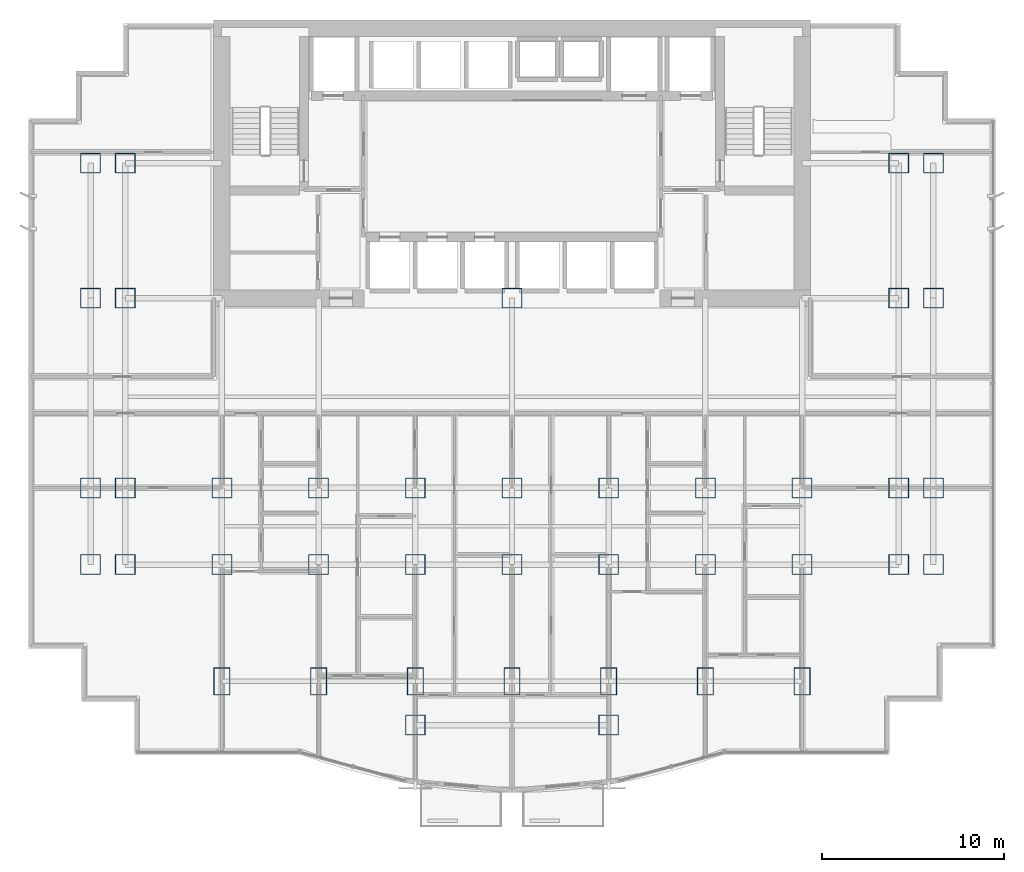
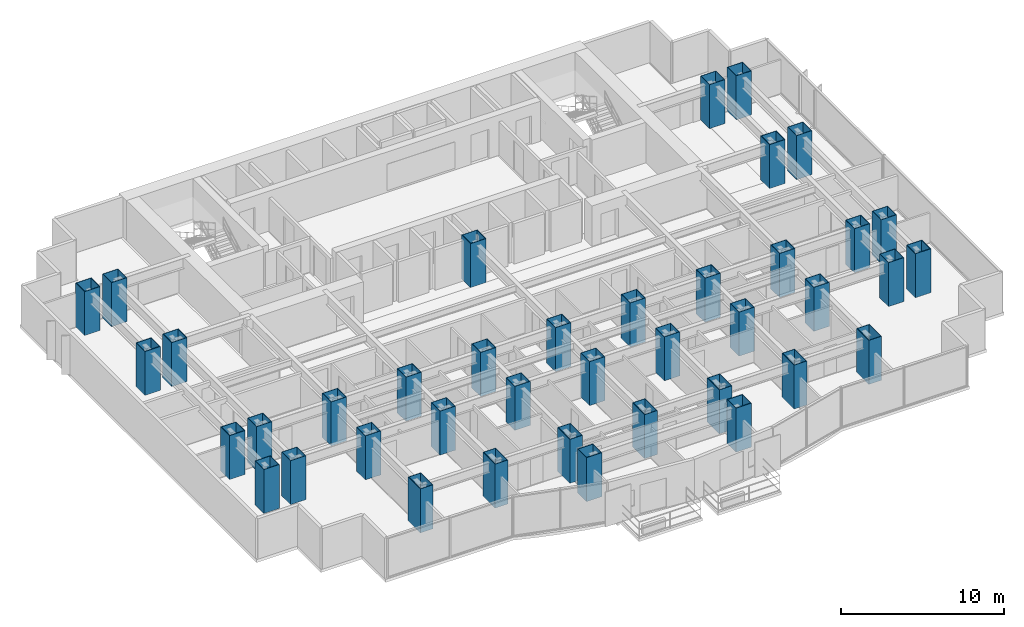
# One storey, part 1 of 12: 40 columns.
"""IFC4 building model written with IfcOpenShell, lengths in metres."""

import ifcopenshell
import ifcopenshell.guid

model = None  # the IFC model being written
_history = None  # IfcOwnerHistory: only IFC2X3 demands one
_inside = {}  # id of a spatial element -> (the spatial element, [elements in it])
_under = {}  # id of a project, library or spatial element -> (it, [spatial elements below it])
_declared = {}  # id of a project -> (the project, [libraries it declares])
_typed = {}  # id of a type object -> (the type object, [elements of that type])
_made_of = {}  # id of a material, layer set ... -> (it, [elements and type objects made of it])


def new_model(schema):
    """Start an empty IFC model of exactly this schema.

    Asked for "IFC4X3", IfcOpenShell would pick the latest addendum, in which some entities
    have other attributes; the version numbers below select the first issue.
    IFC2X3 requires an IfcOwnerHistory on every rooted entity: one is made here for all.
    """
    global model, _history
    if schema == "IFC4X3":
        model = ifcopenshell.file(schema_version=(4, 3, 0, 0))
    else:
        model = ifcopenshell.file(schema=schema)
    _inside.clear()
    _under.clear()
    _declared.clear()
    _typed.clear()
    _made_of.clear()
    _history = None
    if model.schema == "IFC2X3":
        org = make("IfcOrganization", Name="unknown")
        user = make(
            "IfcPersonAndOrganization",
            ThePerson=make("IfcPerson", FamilyName="unknown"),
            TheOrganization=org,
        )
        app = make(
            "IfcApplication",
            ApplicationDeveloper=org,
            Version="unknown",
            ApplicationFullName="unknown",
            ApplicationIdentifier="unknown",
        )
        _history = make(
            "IfcOwnerHistory",
            OwningUser=user,
            OwningApplication=app,
            ChangeAction="ADDED",
            CreationDate=0,
        )
    return model


def make(cls, **values):
    """One entity of the class cls with the attributes given. An attribute that is None is left unset."""
    return model.create_entity(
        cls, **{name: value for name, value in values.items() if value is not None}
    )


def rooted(cls, **values):
    """An entity with a GlobalId (a new one), such as an element, a storey or a relation."""
    return make(cls, GlobalId=ifcopenshell.guid.new(), OwnerHistory=_history, **values)


def si_unit(unit_type, name, prefix=None):
    """IfcSIUnit, for example si_unit("LENGTHUNIT", "METRE", prefix="MILLI")."""
    return make("IfcSIUnit", UnitType=unit_type, Prefix=prefix, Name=name)


def assignment(units):
    """IfcUnitAssignment: the units of a project."""
    return None if units is None else make("IfcUnitAssignment", Units=units)


def point(xyz):
    """IfcCartesianPoint."""
    return None if xyz is None else make("IfcCartesianPoint", Coordinates=xyz)


def direction(xyz):
    """IfcDirection."""
    return None if xyz is None else make("IfcDirection", DirectionRatios=xyz)


def frame(location, z_axis=None, x_axis=None):
    """IfcAxis2Placement3D, a coordinate frame: its origin and axes. An axis left out is left unset."""
    return make(
        "IfcAxis2Placement3D",
        Location=point(location),
        Axis=direction(z_axis),
        RefDirection=direction(x_axis),
    )


def frame_2d(location, x_axis=None):
    """IfcAxis2Placement2D, a coordinate frame in the plane: its origin and x axis."""
    return make(
        "IfcAxis2Placement2D", Location=point(location), RefDirection=direction(x_axis)
    )


def origin():
    """The frame at (0, 0, 0) with its axes left unset."""
    return frame((0.0, 0.0, 0.0))


def origin_2d():
    """The frame at (0, 0) in the plane with its x axis left unset."""
    return frame_2d((0.0, 0.0))


def place(relative_to, where):
    """IfcLocalPlacement: puts the frame where relative to a parent placement (None: the world)."""
    return make(
        "IfcLocalPlacement", PlacementRelTo=relative_to, RelativePlacement=where
    )


def context(
    kind, dimensions, precision=None, world=None, true_north=None, identifier=None
):
    """IfcGeometricRepresentationContext, for example the 3D "Model" context."""
    return make(
        "IfcGeometricRepresentationContext",
        ContextIdentifier=identifier,
        ContextType=kind,
        CoordinateSpaceDimension=dimensions,
        Precision=precision,
        WorldCoordinateSystem=world,
        TrueNorth=true_north,
    )


def subcontext(parent, identifier, kind, view, scale=None):
    """IfcGeometricRepresentationSubContext, for example "Body" below "Model"."""
    return make(
        "IfcGeometricRepresentationSubContext",
        ContextIdentifier=identifier,
        ContextType=kind,
        ParentContext=parent,
        TargetScale=scale,
        TargetView=view,
    )


def project(units=None, contexts=None):
    """IfcProject with its units and contexts."""
    return rooted(
        "IfcProject",
        Name="project",
        RepresentationContexts=contexts,
        UnitsInContext=assignment(units),
    )


def spatial(cls, under=None, at=None, **own):
    """A site, building, storey or space (cls), placed at a placement, below another one or the project."""
    s = rooted(cls, ObjectPlacement=at, **own)
    if under is not None:
        _under.setdefault(under.id(), (under, []))[1].append(s)
    return s


def profile(cls, at=None, kind="AREA", **sizes):
    """A parametric profile (cls). Its sizes go by their IFC names, for example OverallWidth=200.0."""
    return make(cls, ProfileType=kind, Position=at, **sizes)


def hollow_rectangle(**sizes):
    """IfcRectangleHollowProfileDef."""
    return profile("IfcRectangleHollowProfileDef", **sizes)


def extrude(swept, where, along, depth):
    """IfcExtrudedAreaSolid: the profile swept, set in the frame where, extruded along a direction by depth."""
    return make(
        "IfcExtrudedAreaSolid",
        SweptArea=swept,
        Position=where,
        ExtrudedDirection=direction(along),
        Depth=depth,
    )


def shape(context_of_items, identifier, shape_type, items):
    """IfcShapeRepresentation: the items that make up one representation, for example the "Body"."""
    return make(
        "IfcShapeRepresentation",
        ContextOfItems=context_of_items,
        RepresentationIdentifier=identifier,
        RepresentationType=shape_type,
        Items=items,
    )


def material(Name=None, Category=None):
    """IfcMaterial."""
    return make("IfcMaterial", Name=Name, Category=Category)


def material_profile(
    of_material, cross_section, Name=None, Category=None, Priority=None
):
    """IfcMaterialProfile: a cross section and its material."""
    return make(
        "IfcMaterialProfile",
        Name=Name,
        Material=of_material,
        Profile=cross_section,
        Priority=Priority,
        Category=Category,
    )


def profile_set(profiles, Name=None, composite=None):
    """IfcMaterialProfileSet."""
    return make(
        "IfcMaterialProfileSet",
        Name=Name,
        MaterialProfiles=profiles,
        CompositeProfile=composite,
    )


def made_of(thing, what):
    """Note that an element or type object is made of a material, layer set ...; save() writes the relation."""
    if what is not None:
        _made_of.setdefault(what.id(), (what, []))[1].append(thing)
    return thing


def type_object(cls, material=None, **own):
    """A type object (cls), such as IfcWallType, which elements share."""
    return made_of(rooted(cls, **own), material)


def element(
    cls,
    number,
    at=None,
    inside=None,
    cuts=None,
    type_object=None,
    material=None,
    context=None,
    identifier="Body",
    shape_type=None,
    held_by="IfcProductDefinitionShape",
    body=None,
    shapes=None,
    **own,
):
    """One element of the class cls, such as IfcWall. Its Tag is "e" and its number.

    at: its placement. inside: the storey or other place that contains it. cuts: it is an
    opening in that element (IfcRelVoidsElement). A single representation is given by context,
    identifier, shape_type and body (its items); several are given by shapes. held_by: the class
    of the entity that holds the representations. save() writes the other relations.
    """
    e = rooted(cls, Tag="e%d" % number, ObjectPlacement=at, **own)
    if body is not None:
        shapes = [shape(context, identifier, shape_type, body)]
    if shapes is not None:
        e.Representation = make(held_by, Representations=shapes)
    if inside is not None:
        _inside.setdefault(inside.id(), (inside, []))[1].append(e)
    if cuts is not None:
        rooted(
            "IfcRelVoidsElement", RelatingBuildingElement=cuts, RelatedOpeningElement=e
        )
    if type_object is not None:
        _typed.setdefault(type_object.id(), (type_object, []))[1].append(e)
    return made_of(e, material)


def aggregate(whole, parts):
    """IfcRelAggregates: a whole, such as a stair, and the parts it consists of."""
    return rooted("IfcRelAggregates", RelatingObject=whole, RelatedObjects=parts)


def save(model, path):
    """Write the relations noted so far, then the file.

    IfcRelAggregates (storeys below a building ...), IfcRelContainedInSpatialStructure (elements
    in a storey), IfcRelDefinesByType, IfcRelAssociatesMaterial and IfcRelDeclares: one each for
    every whole, place, type object, material and project.
    """
    for whole, parts in _under.values():
        aggregate(whole, parts)
    for where, things in _inside.values():
        rooted(
            "IfcRelContainedInSpatialStructure",
            RelatedElements=things,
            RelatingStructure=where,
        )
    for kind, things in _typed.values():
        rooted("IfcRelDefinesByType", RelatedObjects=things, RelatingType=kind)
    for what, things in _made_of.values():
        rooted("IfcRelAssociatesMaterial", RelatedObjects=things, RelatingMaterial=what)
    for by, libraries in _declared.values():
        rooted("IfcRelDeclares", RelatingContext=by, RelatedDefinitions=libraries)
    model.write(path)


model = new_model("IFC4")

# Units and contexts
model_context = context("Model", 3, precision=1e-05, world=origin(), true_north=direction((0.0, 1.0)))
body_context = subcontext(model_context, "Body", "Model", "MODEL_VIEW")
ifc_project = project(units=[si_unit("LENGTHUNIT", "METRE"), si_unit("AREAUNIT", "SQUARE_METRE"), si_unit("VOLUMEUNIT", "CUBIC_METRE"), si_unit("PLANEANGLEUNIT", "RADIAN"), si_unit("MASSUNIT", "GRAM", prefix="KILO")], contexts=[model_context])

# Site, building, storey
site_placement = place(None, origin())
site = spatial("IfcSite", under=ifc_project, at=site_placement, CompositionType="ELEMENT")
building_placement = place(site_placement, origin())
building = spatial("IfcBuilding", under=site, at=building_placement, Name="Qianlan Lanfeng Residences", CompositionType="ELEMENT")
storey_placement = place(building_placement, frame((0.0, 0.0, 67.10009765625)))
storey = spatial("IfcBuildingStorey", under=building, at=storey_placement, Name="L18", CompositionType="ELEMENT", Elevation=67.10009765625)

# Columns
ifc_material = material(Name="Steel SN490B", Category="steel")
ifc_material_profile_1 = material_profile(ifc_material, hollow_rectangle(XDim=1.10009765625, YDim=1.10009765625, WallThickness=0.035888671875, at=origin_2d()), Name="BOX 1100x1100x36")
ifc_profile_set_1 = profile_set([ifc_material_profile_1], Name="Steel SN490B")
column_type_1 = type_object("IfcColumnType", Name="C-B1300", PredefinedType="COLUMN", material=ifc_profile_set_1)
for number, where, z_axis, x_axis, name in (
    (1, (26.5, 25.199951171875, 0.0), (0.0, 0.0, 1.0), (1.0, 0.0, 0.0), "L18 Structural Column CP_26.5_25.2"),
    (2, (10.60009765625, 14.800048828125, 0.0), (0.0, 0.0, 1.0), (1.0, 0.0, 0.0), "L18 Structural Column M_10.60_14.80"),
    (3, (10.60009765625, 10.60009765625, 0.0), (0.0, 0.0, 1.0), (1.0, 0.0, 0.0), "L18 Structural Column G_10.60_10.60"),
    (4, (15.89990234375, 14.800048828125, 0.0), (0.0, 0.0, 1.0), (1.0, 0.0, 0.0), "L18 Structural Column M_15.90_14.80"),
    (5, (15.89990234375, 10.60009765625, 0.0), (0.0, 0.0, 1.0), (1.0, 0.0, 0.0), "L18 Structural Column G_15.90_10.60"),
    (6, (21.199951171875, 14.800048828125, 0.0), (0.0, 0.0, 1.0), (1.0, 0.0, 0.0), "L18 Structural Column M_21.20_14.80"),
    (7, (21.199951171875, 10.60009765625, 0.0), (0.0, 0.0, 1.0), (1.0, 0.0, 0.0), "L18 Structural Column G_21.20_10.60"),
    (8, (26.5, 14.800048828125, 0.0), (0.0, 0.0, 1.0), (1.0, 0.0, 0.0), "L18 Structural Column M_26.50_14.80"),
    (9, (26.5, 10.60009765625, 0.0), (0.0, 0.0, 1.0), (1.0, 0.0, 0.0), "L18 Structural Column G_26.50_10.60"),
    (10, (31.800048828125, 14.800048828125, 0.0), (0.0, 0.0, 1.0), (1.0, 0.0, 0.0), "L18 Structural Column M_31.80_14.80"),
    (11, (31.800048828125, 10.60009765625, 0.0), (0.0, 0.0, 1.0), (1.0, 0.0, 0.0), "L18 Structural Column G_31.80_10.60"),
    (12, (37.10009765625, 14.800048828125, 0.0), (0.0, 0.0, 1.0), (1.0, 0.0, 0.0), "L18 Structural Column M_37.10_14.80"),
    (13, (37.10009765625, 10.60009765625, 0.0), (0.0, 0.0, 1.0), (1.0, 0.0, 0.0), "L18 Structural Column G_37.10_10.60"),
    (14, (42.39990234375, 14.800048828125, 0.0), (0.0, 0.0, 1.0), (1.0, 0.0, 0.0), "L18 Structural Column M_42.40_14.80"),
    (15, (42.39990234375, 10.60009765625, 0.0), (0.0, 0.0, 1.0), (1.0, 0.0, 0.0), "L18 Structural Column G_42.40_10.60"),
    (16, (21.199951171875, 1.800048828125, 0.0), (0.0, 0.0, 1.0), (1.0, 0.0, 0.0), "L18 Structural Column P_21.20_1.80"),
    (17, (31.800048828125, 1.800048828125, 0.0), (0.0, 0.0, 1.0), (1.0, 0.0, 0.0), "L18 Structural Column P_31.80_1.80"),
    (18, (3.39990234375, 10.60009765625, 0.0), (0.0, 0.0, 1.0), (1.0, 0.0, 0.0), "L18 Structural Column W_3.40_10.60"),
    (19, (3.39990234375, 14.800048828125, 0.0), (0.0, 0.0, 1.0), (1.0, 0.0, 0.0), "L18 Structural Column W_3.40_14.80"),
    (20, (3.39990234375, 25.199951171875, 0.0), (0.0, 0.0, 1.0), (1.0, 0.0, 0.0), "L18 Structural Column W_3.40_25.20"),
    (21, (3.39990234375, 32.60009765625, 0.0), (0.0, 0.0, 1.0), (1.0, 0.0, 0.0), "L18 Structural Column W_3.40_32.60"),
    (22, (5.300048828125, 10.60009765625, 0.0), (0.0, 0.0, 1.0), (1.0, 0.0, 0.0), "L18 Structural Column W_5.30_10.60"),
    (23, (5.300048828125, 14.800048828125, 0.0), (0.0, 0.0, 1.0), (1.0, 0.0, 0.0), "L18 Structural Column W_5.30_14.80"),
    (24, (5.300048828125, 25.199951171875, 0.0), (0.0, 0.0, 1.0), (1.0, 0.0, 0.0), "L18 Structural Column W_5.30_25.20"),
    (25, (5.300048828125, 32.60009765625, 0.0), (0.0, 0.0, 1.0), (1.0, 0.0, 0.0), "L18 Structural Column W_5.30_32.60"),
    (26, (47.699951171875, 10.60009765625, 0.0), (0.0, 0.0, 1.0), (1.0, 0.0, 0.0), "L18 Structural Column W_47.70_10.60"),
    (27, (47.699951171875, 14.800048828125, 0.0), (0.0, 0.0, 1.0), (1.0, 0.0, 0.0), "L18 Structural Column W_47.70_14.80"),
    (28, (47.699951171875, 25.199951171875, 0.0), (0.0, 0.0, 1.0), (1.0, 0.0, 0.0), "L18 Structural Column W_47.70_25.20"),
    (29, (47.699951171875, 32.60009765625, 0.0), (0.0, 0.0, 1.0), (1.0, 0.0, 0.0), "L18 Structural Column W_47.70_32.60"),
    (30, (49.60009765625, 10.60009765625, 0.0), (0.0, 0.0, 1.0), (1.0, 0.0, 0.0), "L18 Structural Column W_49.60_10.60"),
    (31, (49.60009765625, 14.800048828125, 0.0), (0.0, 0.0, 1.0), (1.0, 0.0, 0.0), "L18 Structural Column W_49.60_14.80"),
    (32, (49.60009765625, 25.199951171875, 0.0), (0.0, 0.0, 1.0), (1.0, 0.0, 0.0), "L18 Structural Column W_49.60_25.20"),
    (33, (49.60009765625, 32.60009765625, 0.0), (0.0, 0.0, 1.0), (1.0, 0.0, 0.0), "L18 Structural Column W_49.60_32.60"),
):
    element("IfcColumn", number, at=place(storey_placement, frame(where, z_axis=z_axis, x_axis=x_axis)), inside=storey, type_object=column_type_1, Name=name, PredefinedType="COLUMN", context=body_context, shape_type="SweptSolid", body=[
        extrude(hollow_rectangle(XDim=1.10009765625, YDim=1.10009765625, WallThickness=0.035888671875, at=origin_2d()), origin(), (0.0, 0.0, 1.0), 3.2998046875),
    ])
ifc_material_profile_2 = material_profile(ifc_material, hollow_rectangle(XDim=0.89990234375, YDim=1.5, WallThickness=0.035888671875, at=origin_2d()), Name="BOX 1500x900x36")
ifc_profile_set_2 = profile_set([ifc_material_profile_2], Name="Steel SN490B")
column_type_2 = type_object("IfcColumnType", Name="CE-B1250", PredefinedType="COLUMN", material=ifc_profile_set_2)
for number, where, z_axis, x_axis, name in (
    (34, (10.60009765625, 4.199951171875, 0.0), (0.0, 0.0, 1.0), (1.0, 0.0, 0.0), "L18 Structural Column S_10.60_4.20"),
    (35, (15.89990234375, 4.199951171875, 0.0), (0.0, 0.0, 1.0), (1.0, 0.0, 0.0), "L18 Structural Column S_15.90_4.20"),
    (36, (21.199951171875, 4.199951171875, 0.0), (0.0, 0.0, 1.0), (1.0, 0.0, 0.0), "L18 Structural Column S_21.20_4.20"),
    (37, (26.5, 4.199951171875, 0.0), (0.0, 0.0, 1.0), (1.0, 0.0, 0.0), "L18 Structural Column S_26.50_4.20"),
    (38, (31.800048828125, 4.199951171875, 0.0), (0.0, 0.0, 1.0), (1.0, 0.0, 0.0), "L18 Structural Column S_31.80_4.20"),
    (39, (37.10009765625, 4.199951171875, 0.0), (0.0, 0.0, 1.0), (1.0, 0.0, 0.0), "L18 Structural Column S_37.10_4.20"),
    (40, (42.39990234375, 4.199951171875, 0.0), (0.0, 0.0, 1.0), (1.0, 0.0, 0.0), "L18 Structural Column S_42.40_4.20"),
):
    element("IfcColumn", number, at=place(storey_placement, frame(where, z_axis=z_axis, x_axis=x_axis)), inside=storey, type_object=column_type_2, Name=name, PredefinedType="COLUMN", context=body_context, shape_type="SweptSolid", body=[
        extrude(hollow_rectangle(XDim=0.89990234375, YDim=1.5, WallThickness=0.035888671875, at=origin_2d()), origin(), (0.0, 0.0, 1.0), 3.2998046875),
    ])

save(model, "model.ifc")
